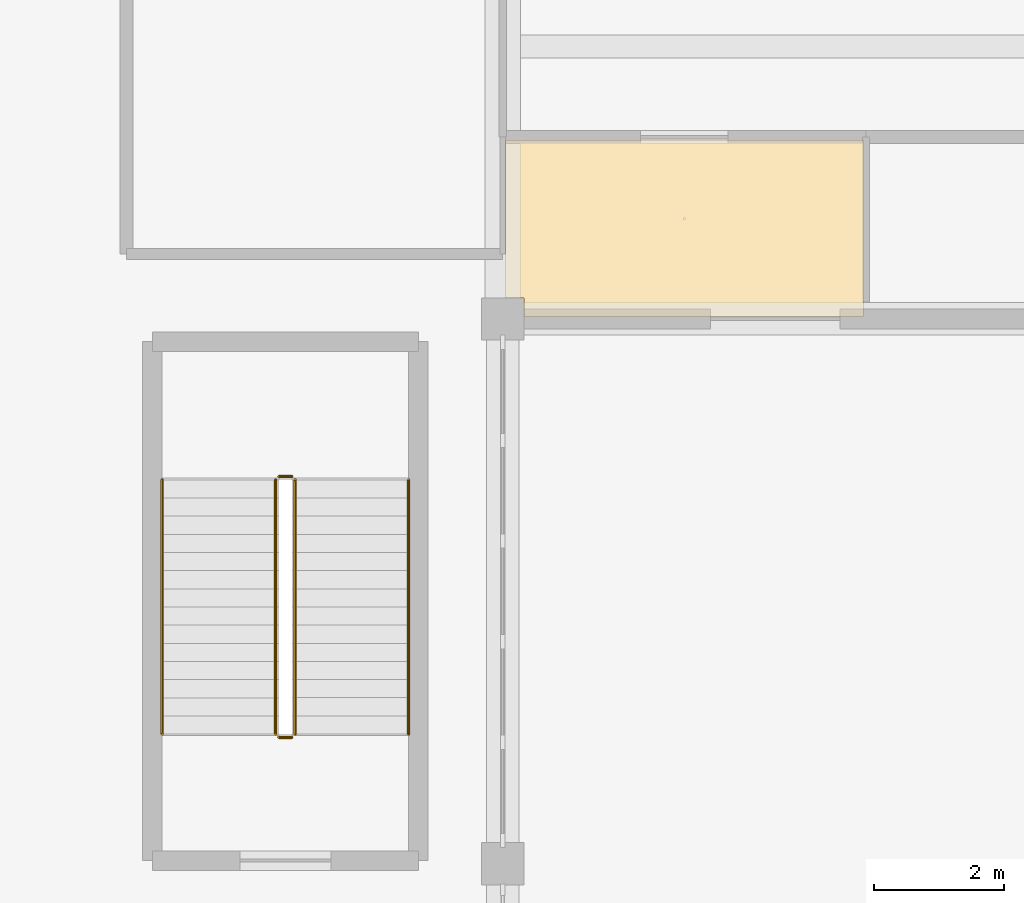
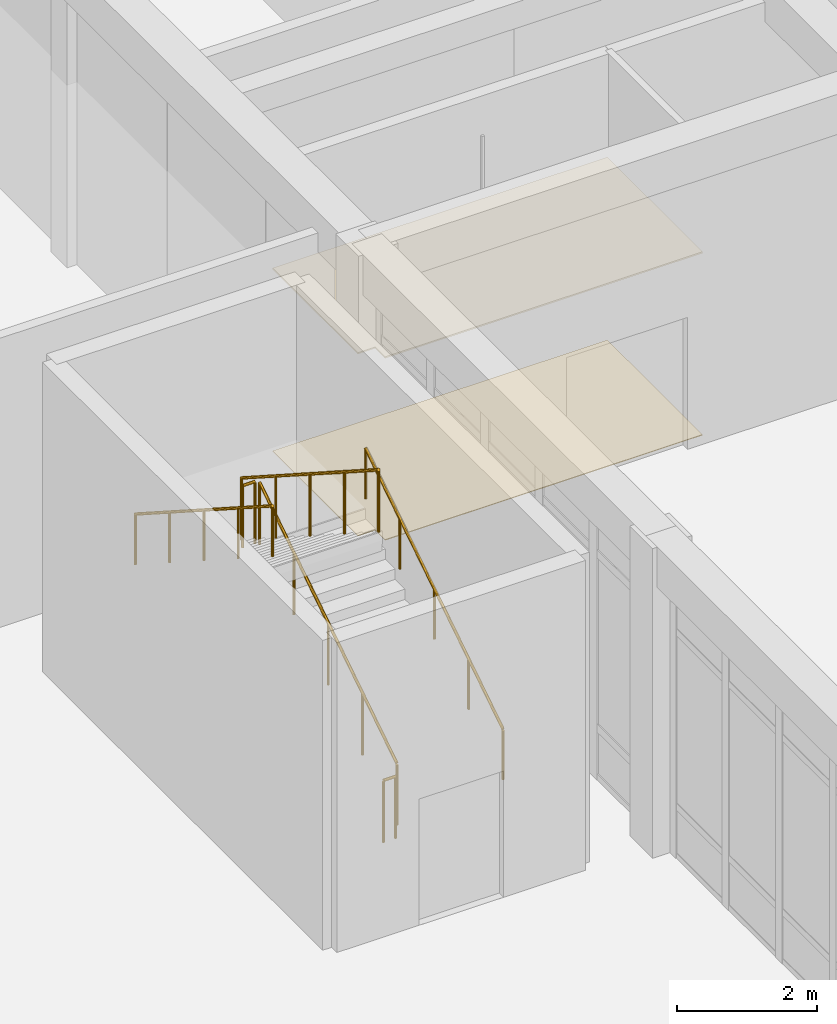
# One storey, part 145 of 167: 6 railings, 2 coverings.
"""IFC4 building model written with IfcOpenShell, lengths in metres."""

import ifcopenshell
import ifcopenshell.guid

model = None  # the IFC model being written
_history = None  # IfcOwnerHistory: only IFC2X3 demands one
_inside = {}  # id of a spatial element -> (the spatial element, [elements in it])
_under = {}  # id of a project, library or spatial element -> (it, [spatial elements below it])
_declared = {}  # id of a project -> (the project, [libraries it declares])
_typed = {}  # id of a type object -> (the type object, [elements of that type])
_made_of = {}  # id of a material, layer set ... -> (it, [elements and type objects made of it])


def new_model(schema):
    """Start an empty IFC model of exactly this schema.

    Asked for "IFC4X3", IfcOpenShell would pick the latest addendum, in which some entities
    have other attributes; the version numbers below select the first issue.
    IFC2X3 requires an IfcOwnerHistory on every rooted entity: one is made here for all.
    """
    global model, _history
    if schema == "IFC4X3":
        model = ifcopenshell.file(schema_version=(4, 3, 0, 0))
    else:
        model = ifcopenshell.file(schema=schema)
    _inside.clear()
    _under.clear()
    _declared.clear()
    _typed.clear()
    _made_of.clear()
    _history = None
    if model.schema == "IFC2X3":
        org = make("IfcOrganization", Name="unknown")
        user = make(
            "IfcPersonAndOrganization",
            ThePerson=make("IfcPerson", FamilyName="unknown"),
            TheOrganization=org,
        )
        app = make(
            "IfcApplication",
            ApplicationDeveloper=org,
            Version="unknown",
            ApplicationFullName="unknown",
            ApplicationIdentifier="unknown",
        )
        _history = make(
            "IfcOwnerHistory",
            OwningUser=user,
            OwningApplication=app,
            ChangeAction="ADDED",
            CreationDate=0,
        )
    return model


def make(cls, **values):
    """One entity of the class cls with the attributes given. An attribute that is None is left unset."""
    return model.create_entity(
        cls, **{name: value for name, value in values.items() if value is not None}
    )


def rooted(cls, **values):
    """An entity with a GlobalId (a new one), such as an element, a storey or a relation."""
    return make(cls, GlobalId=ifcopenshell.guid.new(), OwnerHistory=_history, **values)


def si_unit(unit_type, name, prefix=None):
    """IfcSIUnit, for example si_unit("LENGTHUNIT", "METRE", prefix="MILLI")."""
    return make("IfcSIUnit", UnitType=unit_type, Prefix=prefix, Name=name)


def assignment(units):
    """IfcUnitAssignment: the units of a project."""
    return None if units is None else make("IfcUnitAssignment", Units=units)


def point(xyz):
    """IfcCartesianPoint."""
    return None if xyz is None else make("IfcCartesianPoint", Coordinates=xyz)


def direction(xyz):
    """IfcDirection."""
    return None if xyz is None else make("IfcDirection", DirectionRatios=xyz)


def frame(location, z_axis=None, x_axis=None):
    """IfcAxis2Placement3D, a coordinate frame: its origin and axes. An axis left out is left unset."""
    return make(
        "IfcAxis2Placement3D",
        Location=point(location),
        Axis=direction(z_axis),
        RefDirection=direction(x_axis),
    )


def frame_2d(location, x_axis=None):
    """IfcAxis2Placement2D, a coordinate frame in the plane: its origin and x axis."""
    return make(
        "IfcAxis2Placement2D", Location=point(location), RefDirection=direction(x_axis)
    )


def origin():
    """The frame at (0, 0, 0) with its axes left unset."""
    return frame((0.0, 0.0, 0.0))


def origin_2d():
    """The frame at (0, 0) in the plane with its x axis left unset."""
    return frame_2d((0.0, 0.0))


def place(relative_to, where):
    """IfcLocalPlacement: puts the frame where relative to a parent placement (None: the world)."""
    return make(
        "IfcLocalPlacement", PlacementRelTo=relative_to, RelativePlacement=where
    )


def context(
    kind, dimensions, precision=None, world=None, true_north=None, identifier=None
):
    """IfcGeometricRepresentationContext, for example the 3D "Model" context."""
    return make(
        "IfcGeometricRepresentationContext",
        ContextIdentifier=identifier,
        ContextType=kind,
        CoordinateSpaceDimension=dimensions,
        Precision=precision,
        WorldCoordinateSystem=world,
        TrueNorth=true_north,
    )


def subcontext(parent, identifier, kind, view, scale=None):
    """IfcGeometricRepresentationSubContext, for example "Body" below "Model"."""
    return make(
        "IfcGeometricRepresentationSubContext",
        ContextIdentifier=identifier,
        ContextType=kind,
        ParentContext=parent,
        TargetScale=scale,
        TargetView=view,
    )


def project(units=None, contexts=None):
    """IfcProject with its units and contexts."""
    return rooted(
        "IfcProject",
        Name="project",
        RepresentationContexts=contexts,
        UnitsInContext=assignment(units),
    )


def spatial(cls, under=None, at=None, **own):
    """A site, building, storey or space (cls), placed at a placement, below another one or the project."""
    s = rooted(cls, ObjectPlacement=at, **own)
    if under is not None:
        _under.setdefault(under.id(), (under, []))[1].append(s)
    return s


def polyline(points):
    """IfcPolyline through the points."""
    return make("IfcPolyline", Points=[point(p) for p in points])


def profile(cls, at=None, kind="AREA", **sizes):
    """A parametric profile (cls). Its sizes go by their IFC names, for example OverallWidth=200.0."""
    return make(cls, ProfileType=kind, Position=at, **sizes)


def circle(**sizes):
    """IfcCircleProfileDef."""
    return profile("IfcCircleProfileDef", **sizes)


def outline(outer, holes=None, kind="AREA"):
    """IfcArbitraryClosedProfileDef: a profile drawn as a closed curve; with holes, ...WithVoids."""
    if holes is None:
        return make("IfcArbitraryClosedProfileDef", ProfileType=kind, OuterCurve=outer)
    return make(
        "IfcArbitraryProfileDefWithVoids",
        ProfileType=kind,
        OuterCurve=outer,
        InnerCurves=holes,
    )


def extrude(swept, where, along, depth):
    """IfcExtrudedAreaSolid: the profile swept, set in the frame where, extruded along a direction by depth."""
    return make(
        "IfcExtrudedAreaSolid",
        SweptArea=swept,
        Position=where,
        ExtrudedDirection=direction(along),
        Depth=depth,
    )


def shape(context_of_items, identifier, shape_type, items):
    """IfcShapeRepresentation: the items that make up one representation, for example the "Body"."""
    return make(
        "IfcShapeRepresentation",
        ContextOfItems=context_of_items,
        RepresentationIdentifier=identifier,
        RepresentationType=shape_type,
        Items=items,
    )


def material(Name=None, Category=None):
    """IfcMaterial."""
    return make("IfcMaterial", Name=Name, Category=Category)


def layer(
    of_material, thickness, ventilated=None, Name=None, Category=None, Priority=None
):
    """IfcMaterialLayer: one layer of a wall or slab, of a material (None: an air gap)."""
    return make(
        "IfcMaterialLayer",
        Material=of_material,
        LayerThickness=thickness,
        IsVentilated=ventilated,
        Name=Name,
        Category=Category,
        Priority=Priority,
    )


def layer_set(layers, Name=None):
    """IfcMaterialLayerSet."""
    return make("IfcMaterialLayerSet", MaterialLayers=layers, LayerSetName=Name)


def made_of(thing, what):
    """Note that an element or type object is made of a material, layer set ...; save() writes the relation."""
    if what is not None:
        _made_of.setdefault(what.id(), (what, []))[1].append(thing)
    return thing


def type_object(cls, material=None, **own):
    """A type object (cls), such as IfcWallType, which elements share."""
    return made_of(rooted(cls, **own), material)


def element(
    cls,
    number,
    at=None,
    inside=None,
    cuts=None,
    type_object=None,
    material=None,
    context=None,
    identifier="Body",
    shape_type=None,
    held_by="IfcProductDefinitionShape",
    body=None,
    shapes=None,
    **own,
):
    """One element of the class cls, such as IfcWall. Its Tag is "e" and its number.

    at: its placement. inside: the storey or other place that contains it. cuts: it is an
    opening in that element (IfcRelVoidsElement). A single representation is given by context,
    identifier, shape_type and body (its items); several are given by shapes. held_by: the class
    of the entity that holds the representations. save() writes the other relations.
    """
    e = rooted(cls, Tag="e%d" % number, ObjectPlacement=at, **own)
    if body is not None:
        shapes = [shape(context, identifier, shape_type, body)]
    if shapes is not None:
        e.Representation = make(held_by, Representations=shapes)
    if inside is not None:
        _inside.setdefault(inside.id(), (inside, []))[1].append(e)
    if cuts is not None:
        rooted(
            "IfcRelVoidsElement", RelatingBuildingElement=cuts, RelatedOpeningElement=e
        )
    if type_object is not None:
        _typed.setdefault(type_object.id(), (type_object, []))[1].append(e)
    return made_of(e, material)


def aggregate(whole, parts):
    """IfcRelAggregates: a whole, such as a stair, and the parts it consists of."""
    return rooted("IfcRelAggregates", RelatingObject=whole, RelatedObjects=parts)


def save(model, path):
    """Write the relations noted so far, then the file.

    IfcRelAggregates (storeys below a building ...), IfcRelContainedInSpatialStructure (elements
    in a storey), IfcRelDefinesByType, IfcRelAssociatesMaterial and IfcRelDeclares: one each for
    every whole, place, type object, material and project.
    """
    for whole, parts in _under.values():
        aggregate(whole, parts)
    for where, things in _inside.values():
        rooted(
            "IfcRelContainedInSpatialStructure",
            RelatedElements=things,
            RelatingStructure=where,
        )
    for kind, things in _typed.values():
        rooted("IfcRelDefinesByType", RelatedObjects=things, RelatingType=kind)
    for what, things in _made_of.values():
        rooted("IfcRelAssociatesMaterial", RelatedObjects=things, RelatingMaterial=what)
    for by, libraries in _declared.values():
        rooted("IfcRelDeclares", RelatingContext=by, RelatedDefinitions=libraries)
    model.write(path)


model = new_model("IFC4")

# Units and contexts
model_context = context("Model", 3, precision=1e-05, world=origin(), true_north=direction((0.0, 1.0)))
body_context = subcontext(model_context, "Body", "Model", "MODEL_VIEW")
ifc_project = project(units=[si_unit("LENGTHUNIT", "METRE"), si_unit("AREAUNIT", "SQUARE_METRE"), si_unit("VOLUMEUNIT", "CUBIC_METRE"), si_unit("PLANEANGLEUNIT", "RADIAN"), si_unit("MASSUNIT", "GRAM", prefix="KILO")], contexts=[model_context])

# Site, building, storey
site_placement = place(None, origin())
site = spatial("IfcSite", under=ifc_project, at=site_placement, CompositionType="ELEMENT")
building_placement = place(site_placement, origin())
building = spatial("IfcBuilding", under=site, at=building_placement, Name="Varncliffe General Hospital", CompositionType="ELEMENT")
storey_placement = place(building_placement, origin())
storey = spatial("IfcBuildingStorey", under=building, at=storey_placement, Name="L00", CompositionType="ELEMENT", Elevation=0.0)

# Coverings
ifc_material_1 = material(Name="Hygienic antimicrobial acoustic suspended ceiling tile", Category="gypsum")
ifc_layer_1 = layer(ifc_material_1, 0.02490234375)
ifc_layer_set_1 = layer_set([ifc_layer_1], Name="Hygienic antimicrobial acoustic suspended ceiling tile")
covering_type_1 = type_object("IfcCoveringType", Name="Antimicrobial Acoustic Suspended Ceiling CLG44", PredefinedType="CEILING", material=ifc_layer_set_1)
covering_1_placement = place(storey_placement, frame((0.0, 0.0, 3.175048828125)))
element("IfcCovering", 1, at=covering_1_placement, inside=storey, type_object=covering_type_1, Name="L00 Outpatient Consultation and Exam Clinic 109 Suspended Ceiling", PredefinedType="CEILING", context=body_context, shape_type="SweptSolid", body=[
    extrude(outline(polyline([(117.639892578125, 26.760009765625), (123.159912109375, 26.760009765625), (123.159912109375, 24.0400390625), (117.925048828125, 24.0400390625), (117.925048828125, 24.324951171875), (117.639892578125, 24.324951171875), (117.639892578125, 26.760009765625)])), origin(), (0.0, 0.0, 1.0), 0.02490234375),
])
ifc_material_2 = material(Name="Seamless welded hospital sheet linoleum and terrazzo flooring", Category="linoleum")
ifc_layer_2 = layer(ifc_material_2, 0.011962890625)
ifc_layer_set_2 = layer_set([ifc_layer_2], Name="Seamless welded hospital sheet linoleum and terrazzo flooring")
covering_type_2 = type_object("IfcCoveringType", Name="Seamless Hospital Linoleum Flooring FLR19", PredefinedType="FLOORING", material=ifc_layer_set_2)
covering_2_placement = place(storey_placement, origin())
element("IfcCovering", 2, at=covering_2_placement, inside=storey, type_object=covering_type_2, Name="L00 Outpatient Consultation and Exam Clinic 109 Seamless Flooring", PredefinedType="FLOORING", context=body_context, shape_type="SweptSolid", body=[
    extrude(outline(polyline([(117.639892578125, 26.760009765625), (123.159912109375, 26.760009765625), (123.159912109375, 24.0400390625), (117.925048828125, 24.0400390625), (117.925048828125, 24.324951171875), (117.639892578125, 24.324951171875), (117.639892578125, 26.760009765625)])), origin(), (0.0, 0.0, 1.0), 0.011962890625),
])

# Railings
ifc_material_3 = material(Name="Powder-coated hospital steel guardrail and handrail", Category="steel")
railing_type_1 = type_object("IfcRailingType", Name="Stair and Ramp Handrail HR46", PredefinedType="HANDRAIL", material=ifc_material_3)
railing_1_placement = place(storey_placement, frame((116.14990234375, 17.60009765625, 0.364013671875)))
element("IfcRailing", 3, at=railing_1_placement, inside=storey, type_object=railing_type_1, Name="L00 ST10 stair handrail 1", PredefinedType="HANDRAIL", context=body_context, shape_type="SweptSolid", body=[
    extrude(circle(Radius=0.02392578125, at=origin_2d()), frame((0.0, 0.0, 0.8759765625), z_axis=(0.0, 0.841171666519, 0.540768182723), x_axis=(-1.0, 0.0, 0.0)), (0.0, 0.0, 1.0), 4.66015625),
    extrude(circle(Radius=0.02099609375, at=origin_2d()), origin(), (0.0, 0.0, 1.0), 0.851806640625),
    extrude(circle(Radius=0.02099609375, at=origin_2d()), frame((0.0, 0.97998046875, 0.6298828125)), (0.0, 0.0, 1.0), 0.851806640625),
    extrude(circle(Radius=0.02099609375, at=origin_2d()), frame((0.0, 1.9599609375, 1.260009765625)), (0.0, 0.0, 1.0), 0.851806640625),
    extrude(circle(Radius=0.02099609375, at=origin_2d()), frame((0.0, 2.93994140625, 1.89013671875)), (0.0, 0.0, 1.0), 0.851806640625),
    extrude(circle(Radius=0.02099609375, at=origin_2d()), frame((0.0, 3.919921875, 2.52001953125)), (0.0, 0.0, 1.0), 0.851806640625),
])
railing_2_placement = place(storey_placement, frame((112.35009765625, 21.52001953125, 3.06396484375)))
element("IfcRailing", 4, at=railing_2_placement, inside=storey, type_object=railing_type_1, Name="L00 ST10 stair handrail 2", PredefinedType="HANDRAIL", context=body_context, shape_type="SweptSolid", body=[
    extrude(circle(Radius=0.02392578125, at=origin_2d()), frame((0.0, 0.0, 0.8759765625), z_axis=(0.0, -0.841171666519, 0.540768182723), x_axis=(1.0, 0.0, 0.0)), (0.0, 0.0, 1.0), 4.66015625),
    extrude(circle(Radius=0.02099609375, at=origin_2d()), origin(), (0.0, 0.0, 1.0), 0.851806640625),
    extrude(circle(Radius=0.02099609375, at=origin_2d()), frame((0.0, -0.97998046875, 0.6298828125)), (0.0, 0.0, 1.0), 0.851806640625),
    extrude(circle(Radius=0.02099609375, at=origin_2d()), frame((0.0, -1.9599609375, 1.260009765625)), (0.0, 0.0, 1.0), 0.851806640625),
    extrude(circle(Radius=0.02099609375, at=origin_2d()), frame((0.0, -2.93994140625, 1.89013671875)), (0.0, 0.0, 1.0), 0.851806640625),
    extrude(circle(Radius=0.02099609375, at=origin_2d()), frame((0.0, -3.919921875, 2.52001953125)), (0.0, 0.0, 1.0), 0.851806640625),
])
railing_type_2 = type_object("IfcRailingType", Name="Stairwell Guardrail SG49", PredefinedType="GUARDRAIL", material=ifc_material_3)
railing_3_placement = place(storey_placement, frame((114.39990234375, 17.60009765625, 0.179931640625)))
element("IfcRailing", 5, at=railing_3_placement, inside=storey, type_object=railing_type_2, Name="L00 ST10 stair guard 1", PredefinedType="GUARDRAIL", context=body_context, shape_type="SweptSolid", body=[
    extrude(circle(Radius=0.02392578125, at=origin_2d()), frame((0.0, 0.0, 1.076171875), z_axis=(0.0, 0.841171666519, 0.540768182723), x_axis=(-1.0, 0.0, 0.0)), (0.0, 0.0, 1.0), 4.66015625),
    extrude(circle(Radius=0.02099609375, at=origin_2d()), origin(), (0.0, 0.0, 1.0), 1.052001953125),
    extrude(circle(Radius=0.02099609375, at=origin_2d()), frame((0.0, 0.97998046875, 0.6298828125)), (0.0, 0.0, 1.0), 1.052001953125),
    extrude(circle(Radius=0.02099609375, at=origin_2d()), frame((0.0, 1.9599609375, 1.260009765625)), (0.0, 0.0, 1.0), 1.052001953125),
    extrude(circle(Radius=0.02099609375, at=origin_2d()), frame((0.0, 2.93994140625, 1.89013671875)), (0.0, 0.0, 1.0), 1.052001953125),
    extrude(circle(Radius=0.02099609375, at=origin_2d()), frame((0.0, 3.919921875, 2.52001953125)), (0.0, 0.0, 1.0), 1.052001953125),
])
railing_4_placement = place(storey_placement, frame((114.35009765625, 21.570068359375, 2.699951171875)))
element("IfcRailing", 6, at=railing_4_placement, inside=storey, type_object=railing_type_2, Name="L00 ST10 stair guard 2", PredefinedType="GUARDRAIL", context=body_context, shape_type="SweptSolid", body=[
    extrude(circle(Radius=0.02392578125, at=origin_2d()), frame((0.0, 0.0, 1.076171875), z_axis=(-1.0, 0.0, 0.0), x_axis=(0.0, -1.0, 0.0)), (0.0, 0.0, 1.0), 0.2001953125),
    extrude(circle(Radius=0.02099609375, at=origin_2d()), origin(), (0.0, 0.0, 1.0), 1.052001953125),
    extrude(circle(Radius=0.02099609375, at=origin_2d()), frame((-0.2001953125, 0.0, 0.0)), (0.0, 0.0, 1.0), 1.052001953125),
])
railing_5_placement = place(storey_placement, frame((114.10009765625, 21.52001953125, 2.8798828125)))
element("IfcRailing", 7, at=railing_5_placement, inside=storey, type_object=railing_type_2, Name="L00 ST10 stair guard 3", PredefinedType="GUARDRAIL", context=body_context, shape_type="SweptSolid", body=[
    extrude(circle(Radius=0.02392578125, at=origin_2d()), frame((0.0, 0.0, 1.076171875), z_axis=(0.0, -0.841171666519, 0.540768182723), x_axis=(1.0, 0.0, 0.0)), (0.0, 0.0, 1.0), 4.66015625),
    extrude(circle(Radius=0.02099609375, at=origin_2d()), origin(), (0.0, 0.0, 1.0), 1.052001953125),
    extrude(circle(Radius=0.02099609375, at=origin_2d()), frame((0.0, -0.97998046875, 0.6298828125)), (0.0, 0.0, 1.0), 1.052001953125),
    extrude(circle(Radius=0.02099609375, at=origin_2d()), frame((0.0, -1.9599609375, 1.260009765625)), (0.0, 0.0, 1.0), 1.052001953125),
    extrude(circle(Radius=0.02099609375, at=origin_2d()), frame((0.0, -2.93994140625, 1.89013671875)), (0.0, 0.0, 1.0), 1.052001953125),
    extrude(circle(Radius=0.02099609375, at=origin_2d()), frame((0.0, -3.919921875, 2.52001953125)), (0.0, 0.0, 1.0), 1.052001953125),
])
railing_6_placement = place(storey_placement, frame((114.35009765625, 17.550048828125, 0.0)))
element("IfcRailing", 8, at=railing_6_placement, inside=storey, type_object=railing_type_2, Name="L00 ST10 stair guard 4", PredefinedType="GUARDRAIL", context=body_context, shape_type="SweptSolid", body=[
    extrude(circle(Radius=0.02392578125, at=origin_2d()), frame((0.0, 0.0, 1.076171875), z_axis=(-1.0, 0.0, 0.0), x_axis=(0.0, -1.0, 0.0)), (0.0, 0.0, 1.0), 0.2001953125),
    extrude(circle(Radius=0.02099609375, at=origin_2d()), origin(), (0.0, 0.0, 1.0), 1.052001953125),
    extrude(circle(Radius=0.02099609375, at=origin_2d()), frame((-0.2001953125, 0.0, 0.0)), (0.0, 0.0, 1.0), 1.052001953125),
])

save(model, "model.ifc")
